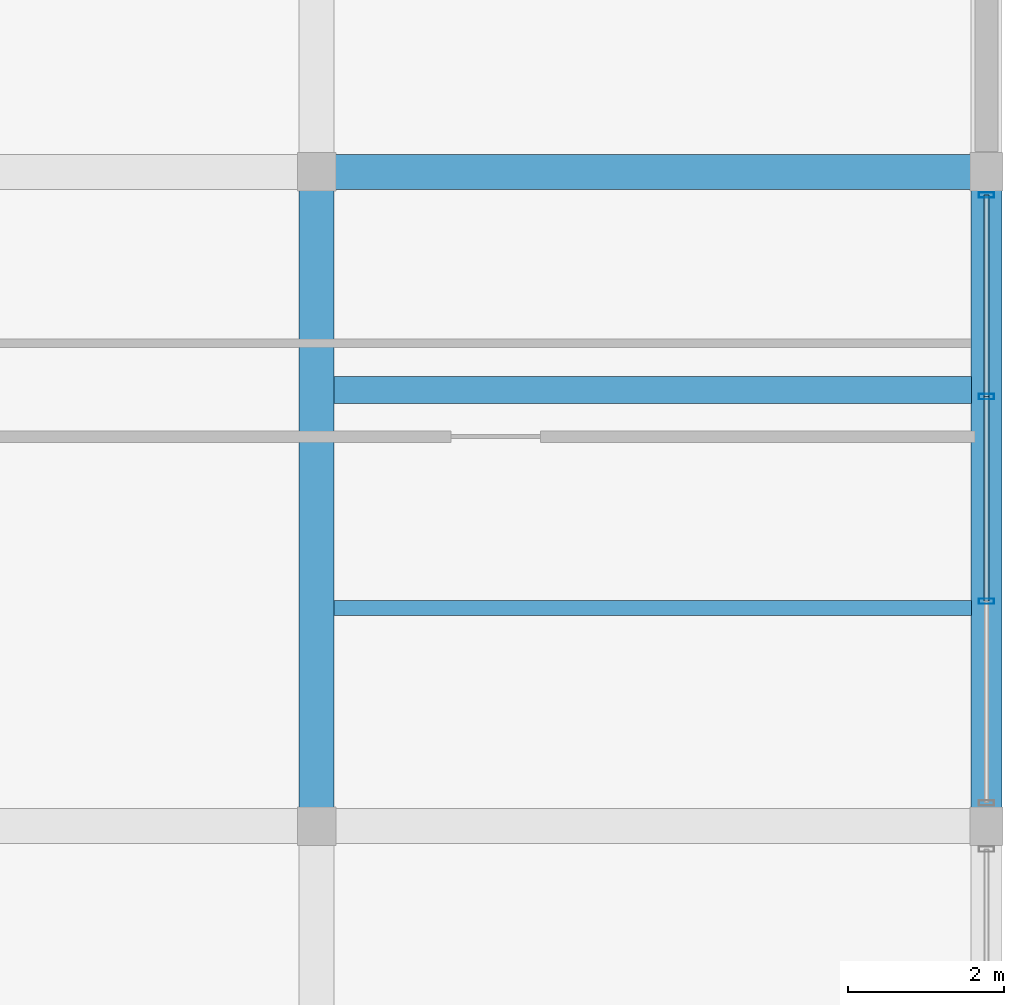
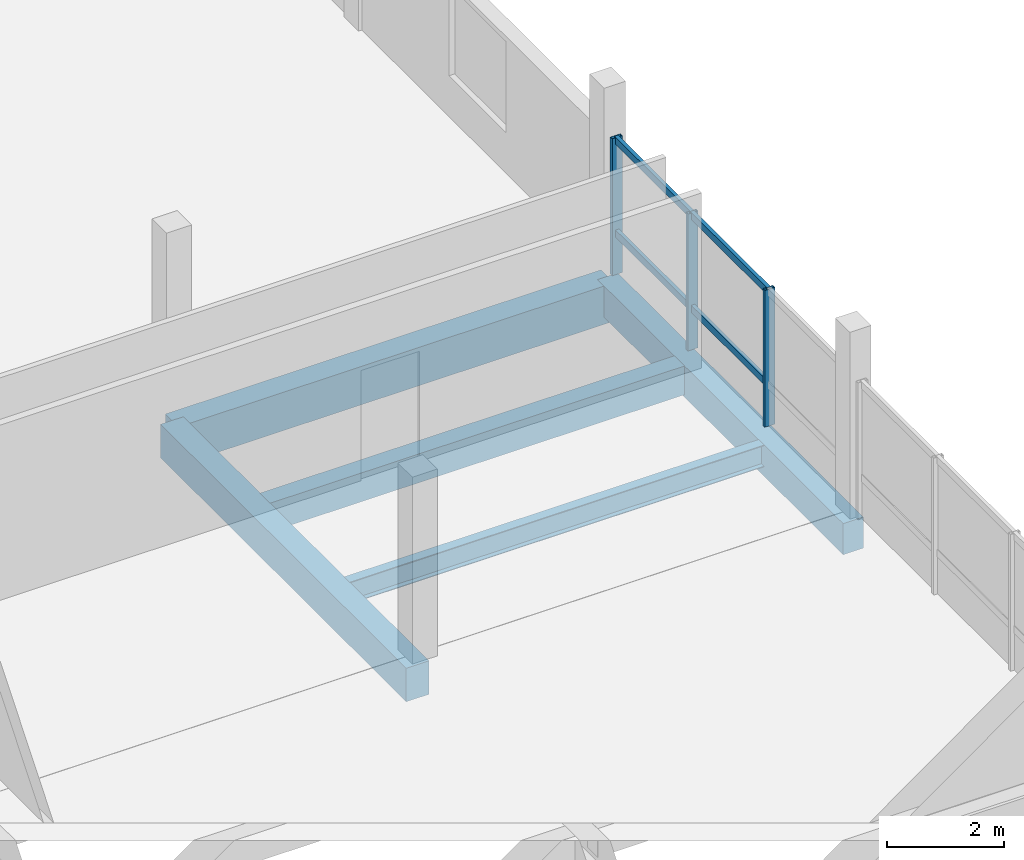
# One storey, part 30 of 62: 7 members, 5 beams, 1 element without a shape of its own.
"""IFC4 building model written with IfcOpenShell, lengths in metres."""

from ifc_helpers import new_model, si_unit, direction, frame, origin, origin_2d, place, context, subcontext, project, spatial, rectangle, hollow_rectangle, i_section, extrude, material, layer, layer_set, material_profile, profile_set, type_object, element, aggregate, save


model = new_model("IFC4")

# Units and contexts
model_context = context("Model", 3, precision=1e-05, world=origin(), true_north=direction((0.0, 1.0)))
body_context = subcontext(model_context, "Body", "Model", "MODEL_VIEW")
ifc_project = project(units=[si_unit("LENGTHUNIT", "METRE"), si_unit("AREAUNIT", "SQUARE_METRE"), si_unit("VOLUMEUNIT", "CUBIC_METRE"), si_unit("PLANEANGLEUNIT", "RADIAN"), si_unit("MASSUNIT", "GRAM", prefix="KILO")], contexts=[model_context])

# Site, building, storey
site_placement = place(None, origin())
site = spatial("IfcSite", under=ifc_project, at=site_placement, CompositionType="ELEMENT")
building_placement = place(site_placement, origin())
building = spatial("IfcBuilding", under=site, at=building_placement, Name="Meriwether Solvik Hall", CompositionType="ELEMENT")
storey_placement = place(building_placement, frame((0.0, 0.0, 14.39990234375)))
storey = spatial("IfcBuildingStorey", under=building, at=storey_placement, Name="L03", CompositionType="ELEMENT", Elevation=14.39990234375)

# Beams
ifc_material_1 = material(Name="Concrete C40/50", Category="concrete")
ifc_material_profile_1 = material_profile(ifc_material_1, rectangle(XDim=0.35009765625, YDim=0.60009765625, at=origin_2d()), Name="RCB-350X600")
ifc_profile_set_1 = profile_set([ifc_material_profile_1], Name="Concrete C40/50")
beam_type_1 = type_object("IfcBeamType", Name="BM-RC-350X600", PredefinedType="JOIST", material=ifc_profile_set_1)
beam_1_placement = place(storey_placement, frame((158.419921875, 64.0, -0.544921875), z_axis=(1.0, 0.0, 0.0), x_axis=(0.0, 1.0, 0.0)))
element("IfcBeam", 1, at=beam_1_placement, inside=storey, type_object=beam_type_1, Name="Secondary Floor Joist 18/G_J2 (L03)", PredefinedType="JOIST", context=body_context, shape_type="SweptSolid", body=[
    extrude(rectangle(XDim=0.35009765625, YDim=0.60009765625, at=origin_2d()), origin(), (0.0, 0.0, 1.0), 8.18505859375),
])
ifc_material_2 = material(Name="Concrete C40/50", Category="concrete")
ifc_material_profile_2 = material_profile(ifc_material_2, rectangle(XDim=0.39990234375, YDim=0.64990234375, at=origin_2d()), Name="RCB-400X650")
ifc_profile_set_2 = profile_set([ifc_material_profile_2], Name="Concrete C40/50")
beam_type_2 = type_object("IfcBeamType", Name="BM-RC-400X650", PredefinedType="SPANDREL", material=ifc_profile_set_2)
beam_2_placement = place(storey_placement, frame((166.800048828125, 58.39990234375, -0.56982421875), z_axis=(0.0, 1.0, 0.0), x_axis=(-1.0, 0.0, 0.0)))
element("IfcBeam", 2, at=beam_2_placement, inside=storey, type_object=beam_type_2, Name="Podium Girder 19:G-H (L03)", PredefinedType="SPANDREL", context=body_context, shape_type="SweptSolid", body=[
    extrude(rectangle(XDim=0.39990234375, YDim=0.64990234375, at=origin_2d()), origin(), (0.0, 0.0, 1.0), 8.400146484375),
])
ifc_material_3 = material(Name="Concrete C40/50", Category="concrete")
ifc_material_profile_3 = material_profile(ifc_material_3, rectangle(XDim=0.449951171875, YDim=0.699951171875, at=origin_2d()), Name="RCB-450X700")
ifc_profile_set_3 = profile_set([ifc_material_profile_3], Name="Concrete C40/50")
beam_type_3 = type_object("IfcBeamType", Name="BM-RC-450X700", PredefinedType="BEAM", material=ifc_profile_set_3)
beam_3_placement = place(storey_placement, frame((158.199951171875, 58.39990234375, -0.594970703125), z_axis=(0.0, 1.0, 0.0), x_axis=(-1.0, 0.0, 0.0)))
element("IfcBeam", 3, at=beam_3_placement, inside=storey, type_object=beam_type_3, Name="Podium Girder 18:G-H (L03)", PredefinedType="BEAM", context=body_context, shape_type="SweptSolid", body=[
    extrude(rectangle(XDim=0.449951171875, YDim=0.699951171875, at=origin_2d()), origin(), (0.0, 0.0, 1.0), 8.400146484375),
])
ifc_material_4 = material(Name="Concrete C40/50", Category="concrete")
ifc_material_profile_4 = material_profile(ifc_material_4, rectangle(XDim=0.449951171875, YDim=0.800048828125, at=origin_2d()), Name="RCB-450X800")
ifc_profile_set_4 = profile_set([ifc_material_profile_4], Name="Concrete C40/50")
beam_type_4 = type_object("IfcBeamType", Name="BM-RC-450X800", PredefinedType="BEAM", material=ifc_profile_set_4)
beam_4_placement = place(storey_placement, frame((158.199951171875, 66.800048828125, -0.64501953125), z_axis=(1.0, 0.0, 0.0), x_axis=(0.0, 1.0, 0.0)))
element("IfcBeam", 4, at=beam_4_placement, inside=storey, type_object=beam_type_4, Name="Podium Girder H:18-19 (L03)", PredefinedType="BEAM", context=body_context, shape_type="SweptSolid", body=[
    extrude(rectangle(XDim=0.449951171875, YDim=0.800048828125, at=origin_2d()), origin(), (0.0, 0.0, 1.0), 8.60009765625),
])
ifc_material_5 = material(Name="Steel A992 Grade 50", Category="steel")
ifc_material_profile_5 = material_profile(ifc_material_5, i_section(OverallWidth=0.19091796875, OverallDepth=0.45703125, WebThickness=0.009033203125, FlangeThickness=0.014404296875, at=origin_2d()), Name="W18X50")
ifc_profile_set_5 = profile_set([ifc_material_profile_5], Name="Steel A992 Grade 50")
beam_type_5 = type_object("IfcBeamType", Name="BM-STL-W18X50", PredefinedType="JOIST", material=ifc_profile_set_5)
beam_5_placement = place(storey_placement, frame((158.419921875, 61.199951171875, -0.473388671875), z_axis=(1.0, 0.0, 0.0), x_axis=(0.0, 1.0, 0.0)))
element("IfcBeam", 5, at=beam_5_placement, inside=storey, type_object=beam_type_5, Name="Secondary Floor Joist 18/G_J1 (L03)", PredefinedType="JOIST", context=body_context, shape_type="SweptSolid", body=[
    extrude(i_section(OverallWidth=0.19091796875, OverallDepth=0.45703125, WebThickness=0.009033203125, FlangeThickness=0.014404296875, at=origin_2d()), origin(), (0.0, 0.0, 1.0), 8.18505859375),
])

# Curtain wall, members
ifc_material_6 = material(Name="Thermally Broken Anodised Aluminium 6063-T6 and Low-E Glass", Category="aluminium")
ifc_layer = layer(ifc_material_6, 0.179931640625)
ifc_layer_set = layer_set([ifc_layer], Name="Thermally Broken Anodised Aluminium 6063-T6 and Low-E Glass")
curtain_wall_type = type_object("IfcCurtainWallType", Name="CW-UNIT-E", PredefinedType="USERDEFINED", material=ifc_layer_set)
curtain_wall_placement = place(storey_placement, origin())
curtain_wall = element("IfcCurtainWall", 6, at=curtain_wall_placement, inside=storey, type_object=curtain_wall_type, Name="Curtain Wall wing_Y19_7_40 (L03)", ObjectType="UNITISED CURTAIN WALL", PredefinedType="USERDEFINED")
ifc_material_7 = material(Name="Anodised Aluminium 6063-T6", Category="aluminium")
ifc_material_profile_6 = material_profile(ifc_material_7, hollow_rectangle(XDim=0.070068359375, YDim=0.199951171875, WallThickness=0.0048828125, at=origin_2d()), Name="CWM-70X200")
ifc_profile_set_6 = profile_set([ifc_material_profile_6], Name="Anodised Aluminium 6063-T6")
member_type_1 = type_object("IfcMemberType", Name="CW-MUL-70X200", PredefinedType="MULLION", material=ifc_profile_set_6)
member_1_placement = place(storey_placement, frame((166.800048828125, 66.50244140625, 0.0), z_axis=(0.0, 0.0, 1.0), x_axis=(0.0, -1.0, 0.0)))
member_1 = element("IfcMember", 7, at=member_1_placement, type_object=member_type_1, Name="Curtain Wall Mullion 1", PredefinedType="MULLION", context=body_context, shape_type="SweptSolid", body=[
    extrude(hollow_rectangle(XDim=0.070068359375, YDim=0.199951171875, WallThickness=0.0048828125, at=origin_2d()), origin(), (0.0, 0.0, 1.0), 2.85498046875),
])
member_2_placement = place(storey_placement, frame((166.800048828125, 63.91357421875, 0.0), z_axis=(0.0, 0.0, 1.0), x_axis=(0.0, -1.0, 0.0)))
member_2 = element("IfcMember", 8, at=member_2_placement, type_object=member_type_1, Name="Curtain Wall Mullion 2", PredefinedType="MULLION", context=body_context, shape_type="SweptSolid", body=[
    extrude(hollow_rectangle(XDim=0.070068359375, YDim=0.199951171875, WallThickness=0.0048828125, at=origin_2d()), origin(), (0.0, 0.0, 1.0), 2.85498046875),
])
member_3_placement = place(storey_placement, frame((166.800048828125, 61.28662109375, 0.0), z_axis=(0.0, 0.0, 1.0), x_axis=(0.0, -1.0, 0.0)))
member_3 = element("IfcMember", 9, at=member_3_placement, type_object=member_type_1, Name="Curtain Wall Mullion 3", PredefinedType="MULLION", context=body_context, shape_type="SweptSolid", body=[
    extrude(hollow_rectangle(XDim=0.070068359375, YDim=0.199951171875, WallThickness=0.0048828125, at=origin_2d()), origin(), (0.0, 0.0, 1.0), 2.85498046875),
])
ifc_material_8 = material(Name="Anodised Aluminium 6063-T6", Category="aluminium")
ifc_material_profile_7 = material_profile(ifc_material_8, hollow_rectangle(XDim=0.070068359375, YDim=0.14990234375, WallThickness=0.0048828125, at=origin_2d()), Name="CWT-70X150")
ifc_profile_set_7 = profile_set([ifc_material_profile_7], Name="Anodised Aluminium 6063-T6")
member_type_2 = type_object("IfcMemberType", Name="CW-TRN-70X150", PredefinedType="USERDEFINED", material=ifc_profile_set_7)
member_4_placement = place(storey_placement, frame((166.800048828125, 66.50244140625, 0.856689453125), z_axis=(0.0, -1.0, 0.0), x_axis=(1.0, 0.0, 0.0)))
member_4 = element("IfcMember", 10, at=member_4_placement, type_object=member_type_2, Name="Curtain Wall Transom 1-sill", ObjectType="TRANSOM", PredefinedType="USERDEFINED", context=body_context, shape_type="SweptSolid", body=[
    extrude(hollow_rectangle(XDim=0.070068359375, YDim=0.14990234375, WallThickness=0.0048828125, at=origin_2d()), origin(), (0.0, 0.0, 1.0), 2.5888671875),
])
member_5_placement = place(storey_placement, frame((166.800048828125, 66.50244140625, 2.795166015625), z_axis=(0.0, -1.0, 0.0), x_axis=(1.0, 0.0, 0.0)))
member_5 = element("IfcMember", 11, at=member_5_placement, type_object=member_type_2, Name="Curtain Wall Transom 1-head", ObjectType="TRANSOM", PredefinedType="USERDEFINED", context=body_context, shape_type="SweptSolid", body=[
    extrude(hollow_rectangle(XDim=0.070068359375, YDim=0.14990234375, WallThickness=0.0048828125, at=origin_2d()), origin(), (0.0, 0.0, 1.0), 2.5888671875),
])
member_6_placement = place(storey_placement, frame((166.800048828125, 63.91357421875, 0.856689453125), z_axis=(0.0, -1.0, 0.0), x_axis=(1.0, 0.0, 0.0)))
member_6 = element("IfcMember", 12, at=member_6_placement, type_object=member_type_2, Name="Curtain Wall Transom 2-sill", ObjectType="TRANSOM", PredefinedType="USERDEFINED", context=body_context, shape_type="SweptSolid", body=[
    extrude(hollow_rectangle(XDim=0.070068359375, YDim=0.14990234375, WallThickness=0.0048828125, at=origin_2d()), origin(), (0.0, 0.0, 1.0), 2.626953125),
])
member_7_placement = place(storey_placement, frame((166.800048828125, 63.91357421875, 2.795166015625), z_axis=(0.0, -1.0, 0.0), x_axis=(1.0, 0.0, 0.0)))
member_7 = element("IfcMember", 13, at=member_7_placement, type_object=member_type_2, Name="Curtain Wall Transom 2-head", ObjectType="TRANSOM", PredefinedType="USERDEFINED", context=body_context, shape_type="SweptSolid", body=[
    extrude(hollow_rectangle(XDim=0.070068359375, YDim=0.14990234375, WallThickness=0.0048828125, at=origin_2d()), origin(), (0.0, 0.0, 1.0), 2.626953125),
])
aggregate(curtain_wall, [member_1, member_2, member_3, member_4, member_5, member_6, member_7])

save(model, "model.ifc")
